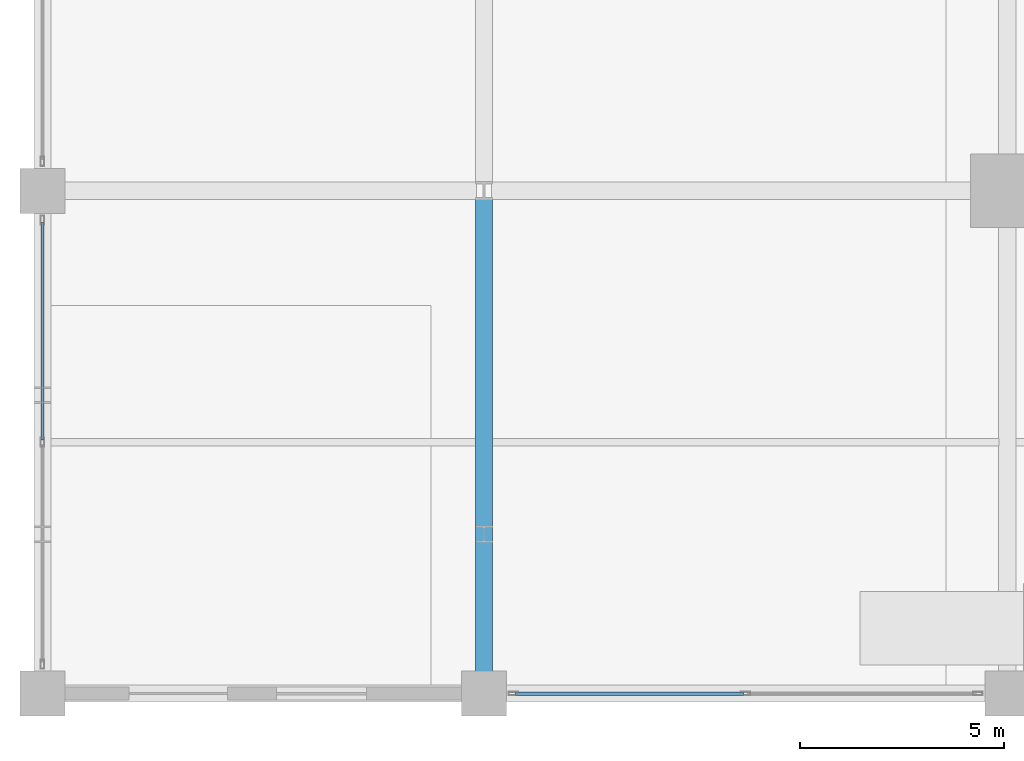
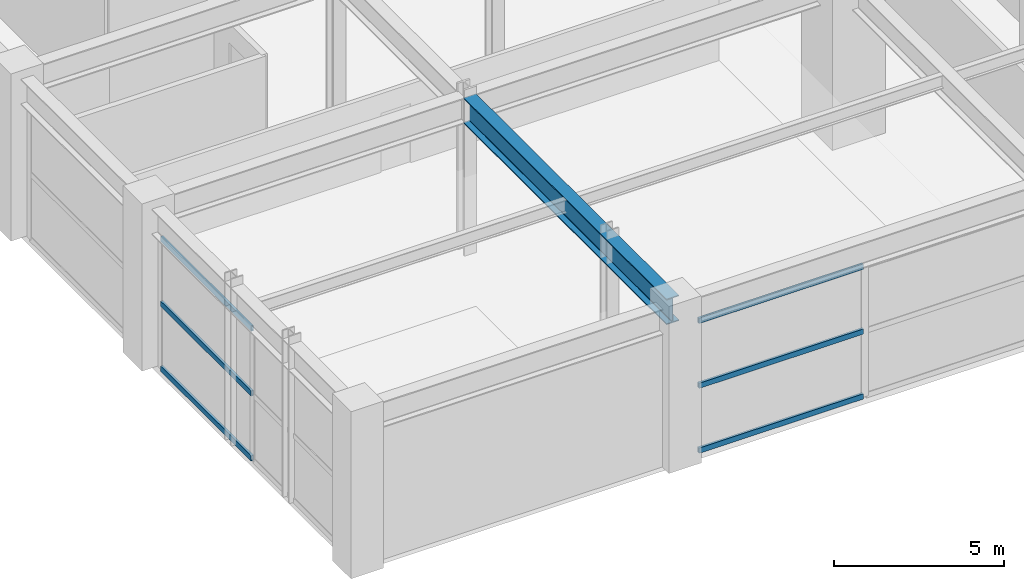
# One storey, part 5 of 41: 6 members, 1 beam, 2 elements without a shape of their own.
"""IFC4 building model written with IfcOpenShell, lengths in metres."""

from ifc_helpers import new_model, si_unit, direction, frame, origin, origin_2d, place, context, subcontext, project, spatial, hollow_rectangle, i_section, extrude, material, material_profile, profile_set, type_object, element, aggregate, save


model = new_model("IFC4")

# Units and contexts
model_context = context("Model", 3, precision=1e-05, world=origin(), true_north=direction((0.0, 1.0)))
body_context = subcontext(model_context, "Body", "Model", "MODEL_VIEW")
ifc_project = project(units=[si_unit("LENGTHUNIT", "METRE"), si_unit("AREAUNIT", "SQUARE_METRE"), si_unit("VOLUMEUNIT", "CUBIC_METRE"), si_unit("PLANEANGLEUNIT", "RADIAN"), si_unit("MASSUNIT", "GRAM", prefix="KILO")], contexts=[model_context])

# Site, building, storey
site_placement = place(None, origin())
site = spatial("IfcSite", under=ifc_project, at=site_placement, CompositionType="ELEMENT")
building_placement = place(site_placement, origin())
building = spatial("IfcBuilding", under=site, at=building_placement, Name="Kovane Verandah Tower", CompositionType="ELEMENT")
storey_placement = place(building_placement, origin())
storey = spatial("IfcBuildingStorey", under=building, at=storey_placement, Name="L00", CompositionType="ELEMENT", Elevation=0.0)

# Beam
ifc_material_1 = material(Name="Steel S460", Category="steel")
ifc_material_profile_1 = material_profile(ifc_material_1, i_section(OverallWidth=0.42041015625, OverallDepth=0.9208984375, WebThickness=0.021484375, FlangeThickness=0.03662109375, FilletRadius=0.024169921875, at=origin_2d()), Name="UB914x419x388")
ifc_profile_set_1 = profile_set([ifc_material_profile_1], Name="Steel S460")
beam_type = type_object("IfcBeamType", Name="BM-UB914x388", PredefinedType="BEAM", material=ifc_profile_set_1)
beam_placement = place(storey_placement, frame((8.800048828125, -1.320068359375, 5.239501953125), z_axis=(0.0, 1.0, 0.0), x_axis=(-1.0, 0.0, 0.0)))
element("IfcBeam", 1, at=beam_placement, inside=storey, type_object=beam_type, Name="L00 Podium Grid Girder Y36", PredefinedType="BEAM", context=body_context, shape_type="SweptSolid", body=[
    extrude(i_section(OverallWidth=0.42041015625, OverallDepth=0.9208984375, WebThickness=0.021484375, FlangeThickness=0.03662109375, FilletRadius=0.024169921875, at=origin_2d()), origin(), (0.0, 0.0, 1.0), 11.940185546875),
])

# Curtain wall, members
ifc_material_2 = material(Name="Champagne Anodised Aluminium Frame with Low-E Clear Laminated Glass", Category="aluminium")
curtain_wall_type = type_object("IfcCurtainWallType", Name="CW-SYS-01-POD", PredefinedType="NOTDEFINED", material=ifc_material_2)
curtain_wall_1_placement = place(storey_placement, origin())
curtain_wall_1 = element("IfcCurtainWall", 2, at=curtain_wall_1_placement, inside=storey, type_object=curtain_wall_type, Name="Ground South Shopfront Curtain Wall Bay 2", PredefinedType="NOTDEFINED")
ifc_material_3 = material(Name="Champagne Anodised Aluminium 6063-T6", Category="aluminium")
ifc_material_profile_2 = material_profile(ifc_material_3, hollow_rectangle(XDim=0.0849609375, YDim=0.18994140625, WallThickness=0.00390625, at=origin_2d()), Name="AL85x190x4")
ifc_profile_set_2 = profile_set([ifc_material_profile_2], Name="Champagne Anodised Aluminium 6063-T6")
member_type = type_object("IfcMemberType", Name="CW-TRN-85x190", PredefinedType="USERDEFINED", material=ifc_profile_set_2)
member_1_placement = place(storey_placement, frame((9.570068359375, -1.5, 0.050048828125), z_axis=(1.0, 0.0, 0.0), x_axis=(0.0, 1.0, 0.0)))
member_1 = element("IfcMember", 3, at=member_1_placement, type_object=member_type, Name="Ground South Shopfront Curtain Wall Bay 2 Transom TB Bay 1", ObjectType="TRANSOM", PredefinedType="USERDEFINED", context=body_context, shape_type="SweptSolid", body=[
    extrude(hollow_rectangle(XDim=0.0849609375, YDim=0.18994140625, WallThickness=0.00390625, at=origin_2d()), origin(), (0.0, 0.0, 1.0), 5.579833984375),
])
member_2_placement = place(storey_placement, frame((9.570068359375, -1.5, 2.37939453125), z_axis=(1.0, 0.0, 0.0), x_axis=(0.0, 1.0, 0.0)))
member_2 = element("IfcMember", 4, at=member_2_placement, type_object=member_type, Name="Ground South Shopfront Curtain Wall Bay 2 Transom TM Bay 1", ObjectType="TRANSOM", PredefinedType="USERDEFINED", context=body_context, shape_type="SweptSolid", body=[
    extrude(hollow_rectangle(XDim=0.0849609375, YDim=0.18994140625, WallThickness=0.00390625, at=origin_2d()), origin(), (0.0, 0.0, 1.0), 5.579833984375),
])
member_3_placement = place(storey_placement, frame((9.570068359375, -1.5, 4.708984375), z_axis=(1.0, 0.0, 0.0), x_axis=(0.0, 1.0, 0.0)))
member_3 = element("IfcMember", 5, at=member_3_placement, type_object=member_type, Name="Ground South Shopfront Curtain Wall Bay 2 Transom TT Bay 1", ObjectType="TRANSOM", PredefinedType="USERDEFINED", context=body_context, shape_type="SweptSolid", body=[
    extrude(hollow_rectangle(XDim=0.0849609375, YDim=0.18994140625, WallThickness=0.00390625, at=origin_2d()), origin(), (0.0, 0.0, 1.0), 5.579833984375),
])
aggregate(curtain_wall_1, [member_1, member_2, member_3])

curtain_wall_2_placement = place(storey_placement, origin())
curtain_wall_2 = element("IfcCurtainWall", 6, at=curtain_wall_2_placement, inside=storey, type_object=curtain_wall_type, Name="Ground West Shopfront Curtain Wall Bay 1", PredefinedType="NOTDEFINED")
member_4_placement = place(storey_placement, frame((-2.0, 10.030029296875, 0.050048828125), z_axis=(0.0, -1.0, 0.0), x_axis=(1.0, 0.0, 0.0)))
member_4 = element("IfcMember", 7, at=member_4_placement, type_object=member_type, Name="Ground West Shopfront Curtain Wall Bay 1 Transom TB Bay 1", ObjectType="TRANSOM", PredefinedType="USERDEFINED", context=body_context, shape_type="SweptSolid", body=[
    extrude(hollow_rectangle(XDim=0.0849609375, YDim=0.18994140625, WallThickness=0.00390625, at=origin_2d()), origin(), (0.0, 0.0, 1.0), 5.330078125),
])
member_5_placement = place(storey_placement, frame((-2.0, 10.030029296875, 2.37939453125), z_axis=(0.0, -1.0, 0.0), x_axis=(1.0, 0.0, 0.0)))
member_5 = element("IfcMember", 8, at=member_5_placement, type_object=member_type, Name="Ground West Shopfront Curtain Wall Bay 1 Transom TM Bay 1", ObjectType="TRANSOM", PredefinedType="USERDEFINED", context=body_context, shape_type="SweptSolid", body=[
    extrude(hollow_rectangle(XDim=0.0849609375, YDim=0.18994140625, WallThickness=0.00390625, at=origin_2d()), origin(), (0.0, 0.0, 1.0), 5.330078125),
])
member_6_placement = place(storey_placement, frame((-2.0, 10.030029296875, 4.708984375), z_axis=(0.0, -1.0, 0.0), x_axis=(1.0, 0.0, 0.0)))
member_6 = element("IfcMember", 9, at=member_6_placement, type_object=member_type, Name="Ground West Shopfront Curtain Wall Bay 1 Transom TT Bay 1", ObjectType="TRANSOM", PredefinedType="USERDEFINED", context=body_context, shape_type="SweptSolid", body=[
    extrude(hollow_rectangle(XDim=0.0849609375, YDim=0.18994140625, WallThickness=0.00390625, at=origin_2d()), origin(), (0.0, 0.0, 1.0), 5.330078125),
])
aggregate(curtain_wall_2, [member_4, member_5, member_6])

save(model, "model.ifc")
